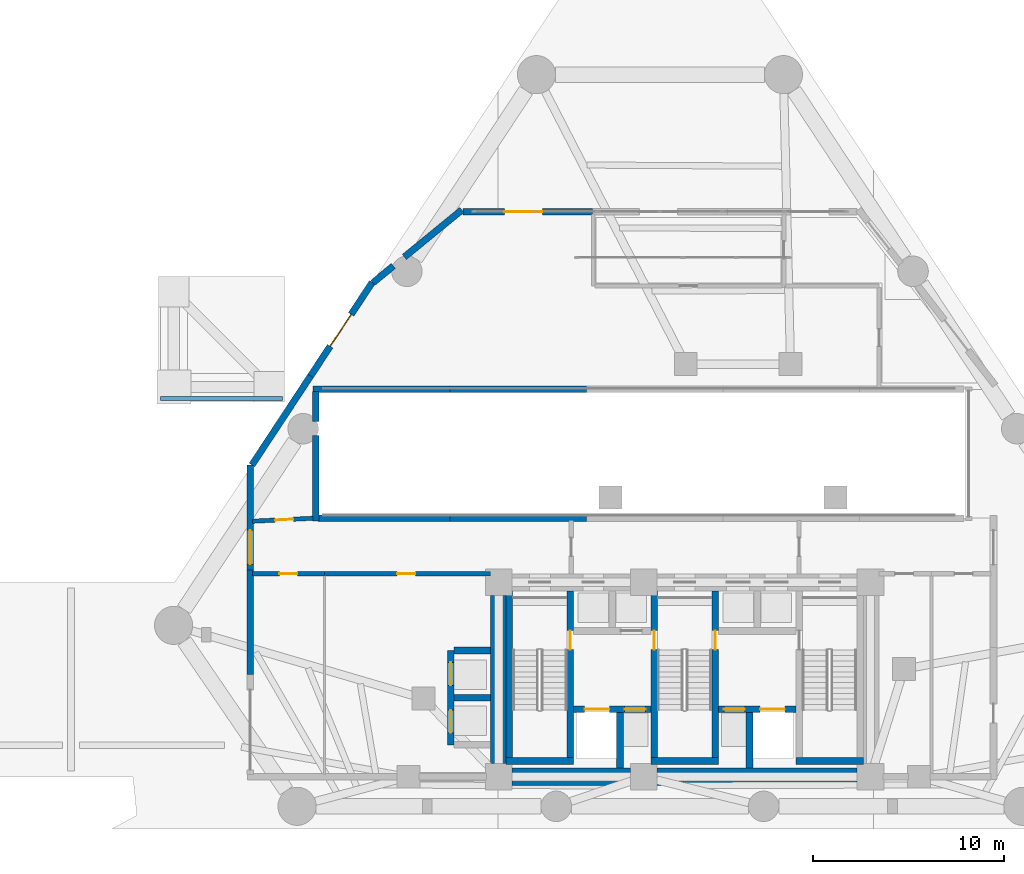
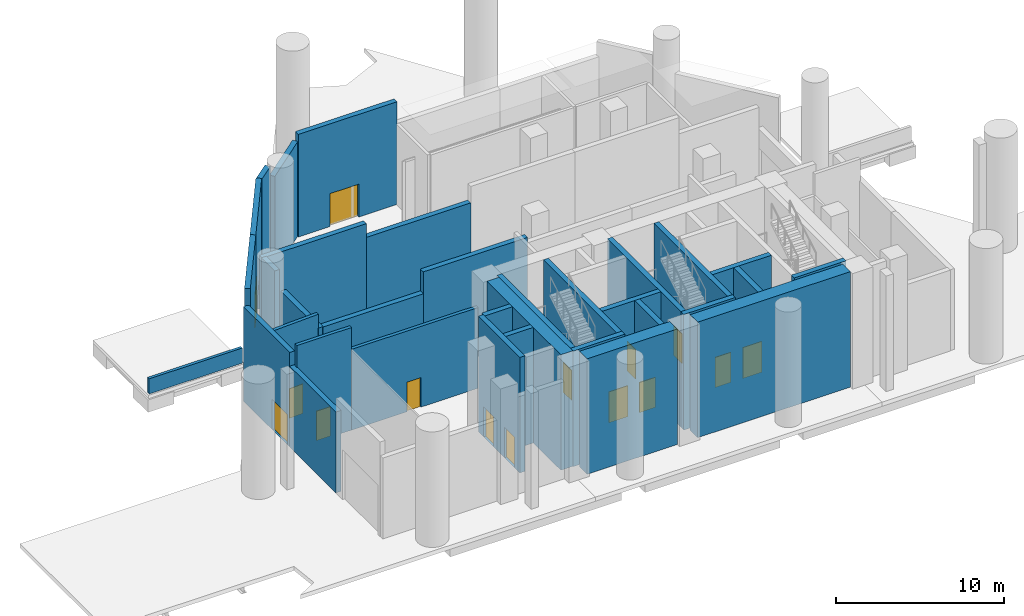
# One storey, part 6 of 12: 34 walls, 15 doors, 15 openings.
"""IFC4 building model written with IfcOpenShell, lengths in metres."""

import ifcopenshell
import ifcopenshell.guid

model = None  # the IFC model being written
_history = None  # IfcOwnerHistory: only IFC2X3 demands one
_inside = {}  # id of a spatial element -> (the spatial element, [elements in it])
_under = {}  # id of a project, library or spatial element -> (it, [spatial elements below it])
_declared = {}  # id of a project -> (the project, [libraries it declares])
_typed = {}  # id of a type object -> (the type object, [elements of that type])
_made_of = {}  # id of a material, layer set ... -> (it, [elements and type objects made of it])


def new_model(schema):
    """Start an empty IFC model of exactly this schema.

    Asked for "IFC4X3", IfcOpenShell would pick the latest addendum, in which some entities
    have other attributes; the version numbers below select the first issue.
    IFC2X3 requires an IfcOwnerHistory on every rooted entity: one is made here for all.
    """
    global model, _history
    if schema == "IFC4X3":
        model = ifcopenshell.file(schema_version=(4, 3, 0, 0))
    else:
        model = ifcopenshell.file(schema=schema)
    _inside.clear()
    _under.clear()
    _declared.clear()
    _typed.clear()
    _made_of.clear()
    _history = None
    if model.schema == "IFC2X3":
        org = make("IfcOrganization", Name="unknown")
        user = make(
            "IfcPersonAndOrganization",
            ThePerson=make("IfcPerson", FamilyName="unknown"),
            TheOrganization=org,
        )
        app = make(
            "IfcApplication",
            ApplicationDeveloper=org,
            Version="unknown",
            ApplicationFullName="unknown",
            ApplicationIdentifier="unknown",
        )
        _history = make(
            "IfcOwnerHistory",
            OwningUser=user,
            OwningApplication=app,
            ChangeAction="ADDED",
            CreationDate=0,
        )
    return model


def make(cls, **values):
    """One entity of the class cls with the attributes given. An attribute that is None is left unset."""
    return model.create_entity(
        cls, **{name: value for name, value in values.items() if value is not None}
    )


def rooted(cls, **values):
    """An entity with a GlobalId (a new one), such as an element, a storey or a relation."""
    return make(cls, GlobalId=ifcopenshell.guid.new(), OwnerHistory=_history, **values)


def si_unit(unit_type, name, prefix=None):
    """IfcSIUnit, for example si_unit("LENGTHUNIT", "METRE", prefix="MILLI")."""
    return make("IfcSIUnit", UnitType=unit_type, Prefix=prefix, Name=name)


def assignment(units):
    """IfcUnitAssignment: the units of a project."""
    return None if units is None else make("IfcUnitAssignment", Units=units)


def point(xyz):
    """IfcCartesianPoint."""
    return None if xyz is None else make("IfcCartesianPoint", Coordinates=xyz)


def direction(xyz):
    """IfcDirection."""
    return None if xyz is None else make("IfcDirection", DirectionRatios=xyz)


def frame(location, z_axis=None, x_axis=None):
    """IfcAxis2Placement3D, a coordinate frame: its origin and axes. An axis left out is left unset."""
    return make(
        "IfcAxis2Placement3D",
        Location=point(location),
        Axis=direction(z_axis),
        RefDirection=direction(x_axis),
    )


def frame_2d(location, x_axis=None):
    """IfcAxis2Placement2D, a coordinate frame in the plane: its origin and x axis."""
    return make(
        "IfcAxis2Placement2D", Location=point(location), RefDirection=direction(x_axis)
    )


def origin():
    """The frame at (0, 0, 0) with its axes left unset."""
    return frame((0.0, 0.0, 0.0))


def place(relative_to, where):
    """IfcLocalPlacement: puts the frame where relative to a parent placement (None: the world)."""
    return make(
        "IfcLocalPlacement", PlacementRelTo=relative_to, RelativePlacement=where
    )


def context(
    kind, dimensions, precision=None, world=None, true_north=None, identifier=None
):
    """IfcGeometricRepresentationContext, for example the 3D "Model" context."""
    return make(
        "IfcGeometricRepresentationContext",
        ContextIdentifier=identifier,
        ContextType=kind,
        CoordinateSpaceDimension=dimensions,
        Precision=precision,
        WorldCoordinateSystem=world,
        TrueNorth=true_north,
    )


def subcontext(parent, identifier, kind, view, scale=None):
    """IfcGeometricRepresentationSubContext, for example "Body" below "Model"."""
    return make(
        "IfcGeometricRepresentationSubContext",
        ContextIdentifier=identifier,
        ContextType=kind,
        ParentContext=parent,
        TargetScale=scale,
        TargetView=view,
    )


def project(units=None, contexts=None):
    """IfcProject with its units and contexts."""
    return rooted(
        "IfcProject",
        Name="project",
        RepresentationContexts=contexts,
        UnitsInContext=assignment(units),
    )


def spatial(cls, under=None, at=None, **own):
    """A site, building, storey or space (cls), placed at a placement, below another one or the project."""
    s = rooted(cls, ObjectPlacement=at, **own)
    if under is not None:
        _under.setdefault(under.id(), (under, []))[1].append(s)
    return s


def profile(cls, at=None, kind="AREA", **sizes):
    """A parametric profile (cls). Its sizes go by their IFC names, for example OverallWidth=200.0."""
    return make(cls, ProfileType=kind, Position=at, **sizes)


def rectangle(**sizes):
    """IfcRectangleProfileDef."""
    return profile("IfcRectangleProfileDef", **sizes)


def extrude(swept, where, along, depth):
    """IfcExtrudedAreaSolid: the profile swept, set in the frame where, extruded along a direction by depth."""
    return make(
        "IfcExtrudedAreaSolid",
        SweptArea=swept,
        Position=where,
        ExtrudedDirection=direction(along),
        Depth=depth,
    )


def shape(context_of_items, identifier, shape_type, items):
    """IfcShapeRepresentation: the items that make up one representation, for example the "Body"."""
    return make(
        "IfcShapeRepresentation",
        ContextOfItems=context_of_items,
        RepresentationIdentifier=identifier,
        RepresentationType=shape_type,
        Items=items,
    )


def material(Name=None, Category=None):
    """IfcMaterial."""
    return make("IfcMaterial", Name=Name, Category=Category)


def layer(
    of_material, thickness, ventilated=None, Name=None, Category=None, Priority=None
):
    """IfcMaterialLayer: one layer of a wall or slab, of a material (None: an air gap)."""
    return make(
        "IfcMaterialLayer",
        Material=of_material,
        LayerThickness=thickness,
        IsVentilated=ventilated,
        Name=Name,
        Category=Category,
        Priority=Priority,
    )


def layer_set(layers, Name=None):
    """IfcMaterialLayerSet."""
    return make("IfcMaterialLayerSet", MaterialLayers=layers, LayerSetName=Name)


def made_of(thing, what):
    """Note that an element or type object is made of a material, layer set ...; save() writes the relation."""
    if what is not None:
        _made_of.setdefault(what.id(), (what, []))[1].append(thing)
    return thing


def type_object(cls, material=None, **own):
    """A type object (cls), such as IfcWallType, which elements share."""
    return made_of(rooted(cls, **own), material)


def element(
    cls,
    number,
    at=None,
    inside=None,
    cuts=None,
    type_object=None,
    material=None,
    context=None,
    identifier="Body",
    shape_type=None,
    held_by="IfcProductDefinitionShape",
    body=None,
    shapes=None,
    **own,
):
    """One element of the class cls, such as IfcWall. Its Tag is "e" and its number.

    at: its placement. inside: the storey or other place that contains it. cuts: it is an
    opening in that element (IfcRelVoidsElement). A single representation is given by context,
    identifier, shape_type and body (its items); several are given by shapes. held_by: the class
    of the entity that holds the representations. save() writes the other relations.
    """
    e = rooted(cls, Tag="e%d" % number, ObjectPlacement=at, **own)
    if body is not None:
        shapes = [shape(context, identifier, shape_type, body)]
    if shapes is not None:
        e.Representation = make(held_by, Representations=shapes)
    if inside is not None:
        _inside.setdefault(inside.id(), (inside, []))[1].append(e)
    if cuts is not None:
        rooted(
            "IfcRelVoidsElement", RelatingBuildingElement=cuts, RelatedOpeningElement=e
        )
    if type_object is not None:
        _typed.setdefault(type_object.id(), (type_object, []))[1].append(e)
    return made_of(e, material)


def fill(opening, filler):
    """IfcRelFillsElement: the door or window that sits in an opening."""
    return rooted(
        "IfcRelFillsElement",
        RelatingOpeningElement=opening,
        RelatedBuildingElement=filler,
    )


def aggregate(whole, parts):
    """IfcRelAggregates: a whole, such as a stair, and the parts it consists of."""
    return rooted("IfcRelAggregates", RelatingObject=whole, RelatedObjects=parts)


def save(model, path):
    """Write the relations noted so far, then the file.

    IfcRelAggregates (storeys below a building ...), IfcRelContainedInSpatialStructure (elements
    in a storey), IfcRelDefinesByType, IfcRelAssociatesMaterial and IfcRelDeclares: one each for
    every whole, place, type object, material and project.
    """
    for whole, parts in _under.values():
        aggregate(whole, parts)
    for where, things in _inside.values():
        rooted(
            "IfcRelContainedInSpatialStructure",
            RelatedElements=things,
            RelatingStructure=where,
        )
    for kind, things in _typed.values():
        rooted("IfcRelDefinesByType", RelatedObjects=things, RelatingType=kind)
    for what, things in _made_of.values():
        rooted("IfcRelAssociatesMaterial", RelatedObjects=things, RelatingMaterial=what)
    for by, libraries in _declared.values():
        rooted("IfcRelDeclares", RelatingContext=by, RelatedDefinitions=libraries)
    model.write(path)


model = new_model("IFC4")

# Units and contexts
model_context = context("Model", 3, precision=1e-05, world=origin(), true_north=direction((0.0, 1.0)))
body_context = subcontext(model_context, "Body", "Model", "MODEL_VIEW")
ifc_project = project(units=[si_unit("LENGTHUNIT", "METRE"), si_unit("AREAUNIT", "SQUARE_METRE"), si_unit("VOLUMEUNIT", "CUBIC_METRE"), si_unit("PLANEANGLEUNIT", "RADIAN"), si_unit("MASSUNIT", "GRAM", prefix="KILO")], contexts=[model_context])

# Site, building, storey
site_placement = place(None, origin())
site = spatial("IfcSite", under=ifc_project, at=site_placement, CompositionType="ELEMENT")
building_placement = place(site_placement, origin())
building = spatial("IfcBuilding", under=site, at=building_placement, Name="Almagre Mirador Tower", CompositionType="ELEMENT")
storey_placement = place(building_placement, origin())
storey = spatial("IfcBuildingStorey", under=building, at=storey_placement, Name="L00", CompositionType="ELEMENT", Elevation=0.0)

# Walls
ifc_material_1 = material(Name="Precast concrete C50/60", Category="concrete")
ifc_layer_1 = layer(ifc_material_1, 0.35009765625)
ifc_layer_set_1 = layer_set([ifc_layer_1], Name="Precast concrete C50/60")
wall_type_1 = type_object("IfcWallType", Name="WAL-EXT-350", PredefinedType="SOLIDWALL", material=ifc_layer_set_1)
wall_1_placement = place(storey_placement, frame((32.14208984375, 24.8798828125, 0.0), z_axis=(0.0, 0.0, 1.0), x_axis=(-1.0, 0.0, 0.0)))
element("IfcWall", 1, at=wall_1_placement, inside=storey, type_object=wall_type_1, Name="L00 ground enclosure wall 3.4", PredefinedType="SOLIDWALL", context=body_context, shape_type="SweptSolid", body=[
    extrude(rectangle(XDim=7.166015625, YDim=0.35009765625, at=frame_2d((3.5830078125, 0.0))), origin(), (0.0, 0.0, 1.0), 5.875),
])
wall_2_placement = place(storey_placement, frame((24.97607421875, 24.8798828125, 0.0), z_axis=(0.0, 0.0, 1.0), x_axis=(-1.0, 0.0, 0.0)))
element("IfcWall", 2, at=wall_2_placement, inside=storey, type_object=wall_type_1, Name="L00 ground enclosure wall 3.5", PredefinedType="SOLIDWALL", context=body_context, shape_type="SweptSolid", body=[
    extrude(rectangle(XDim=7.166015625, YDim=0.35009765625, at=frame_2d((3.5830078125, 0.0))), origin(), (0.0, 0.0, 1.0), 6.875),
])
wall_3_placement = place(storey_placement, frame((17.949951171875, 24.760009765625, 0.0), z_axis=(0.0, 0.0, 1.0), x_axis=(0.0, -1.0, 0.0)))
element("IfcWall", 3, at=wall_3_placement, inside=storey, type_object=wall_type_1, Name="L00 ground enclosure wall 4.1", PredefinedType="SOLIDWALL", context=body_context, shape_type="SweptSolid", body=[
    extrude(rectangle(XDim=1.58203125, YDim=0.35009765625, at=frame_2d((0.791015625, 0.0))), origin(), (0.0, 0.0, 1.0), 6.875),
])
wall_4_placement = place(storey_placement, frame((17.949951171875, 22.446044921875, 0.0), z_axis=(0.0, 0.0, 1.0), x_axis=(0.0, -1.0, 0.0)))
element("IfcWall", 4, at=wall_4_placement, inside=storey, type_object=wall_type_1, Name="L00 ground enclosure wall 4.2", PredefinedType="SOLIDWALL", context=body_context, shape_type="SweptSolid", body=[
    extrude(rectangle(XDim=4.466064453125, YDim=0.35009765625, at=frame_2d((2.23291015625, 0.0))), origin(), (0.0, 0.0, 1.0), 5.875),
])
wall_5_placement = place(storey_placement, frame((18.070068359375, 18.1201171875, 0.0), z_axis=(0.0, 0.0, 1.0), x_axis=(1.0, 0.0, 0.0)))
element("IfcWall", 5, at=wall_5_placement, inside=storey, type_object=wall_type_1, Name="L00 ground enclosure wall 5.1", PredefinedType="SOLIDWALL", context=body_context, shape_type="SweptSolid", body=[
    extrude(rectangle(XDim=6.906005859375, YDim=0.35009765625, at=frame_2d((3.453125, 0.0))), origin(), (0.0, 0.0, 1.0), 5.875),
])
wall_6_placement = place(storey_placement, frame((24.97607421875, 18.1201171875, 0.0), z_axis=(0.0, 0.0, 1.0), x_axis=(1.0, 0.0, 0.0)))
element("IfcWall", 6, at=wall_6_placement, inside=storey, type_object=wall_type_1, Name="L00 ground enclosure wall 5.2", PredefinedType="SOLIDWALL", context=body_context, shape_type="SweptSolid", body=[
    extrude(rectangle(XDim=7.166015625, YDim=0.35009765625, at=frame_2d((3.5830078125, 0.0))), origin(), (0.0, 0.0, 1.0), 7.467041015625),
])
wall_7_placement = place(storey_placement, frame((14.5, 9.91015625, 0.0), z_axis=(0.0, 0.0, 1.0), x_axis=(0.0, 1.0, 0.0)))
element("IfcWall", 7, at=wall_7_placement, inside=storey, type_object=wall_type_1, Name="L00 ground enclosure wall 8.2", PredefinedType="SOLIDWALL", context=body_context, shape_type="SweptSolid", body=[
    extrude(rectangle(XDim=5.500244140625, YDim=0.35009765625, at=frame_2d((2.75, 0.0))), origin(), (0.0, 0.0, 1.0), 5.875),
])

# Wall, opening, door
wall_8_placement = place(storey_placement, frame((14.5, 15.410400390625, 0.0), z_axis=(0.0, 0.0, 1.0), x_axis=(0.0, 1.0, 0.0)))
wall_8 = element("IfcWall", 8, at=wall_8_placement, inside=storey, type_object=wall_type_1, Name="L00 ground enclosure wall 8.3", PredefinedType="SOLIDWALL", context=body_context, shape_type="SweptSolid", body=[
    extrude(rectangle(XDim=5.500244140625, YDim=0.35009765625, at=frame_2d((2.75, 0.0))), origin(), (0.0, 0.0, 1.0), 6.875),
])
opening_1_placement = place(wall_8_placement, frame((0.280029296875, 0.0, 0.0)))
opening_1 = element("IfcOpeningElement", 9, at=opening_1_placement, cuts=wall_8, Name="Opening ED-01", PredefinedType="OPENING", context=body_context, shape_type="SweptSolid", body=[
    extrude(rectangle(XDim=1.800048828125, YDim=2.199951171875, at=frame_2d((0.89990234375, 1.10009765625))), frame((0.0, 0.185049, 0.0), z_axis=(0.0, -1.0, 0.0), x_axis=(1.0, 0.0, 0.0)), (0.0, 0.0, 1.0), 0.370098),
])
ifc_material_2 = material(Name="Black anodized aluminium and laminated glass", Category="aluminium")
door_type_1 = type_object("IfcDoorType", Name="DOR-EXT-DBL-1800", OperationType="DOUBLE_DOOR_SINGLE_SWING", PredefinedType="DOOR", material=ifc_material_2)
door_1_placement = place(opening_1_placement, origin())
door_1 = element("IfcDoor", 10, at=door_1_placement, inside=storey, type_object=door_type_1, Name="DR-0036 L00 Protected Exit Passageway ST-1 final exit door ED-01", OperationType="DOUBLE_DOOR_SINGLE_SWING", OverallHeight=2.199951171875, OverallWidth=1.800048828125, PredefinedType="DOOR", context=body_context, shape_type="SweptSolid", body=[
    extrude(rectangle(XDim=1.800048828125, YDim=2.199951171875, at=frame_2d((0.89990234375, 1.10009765625))), frame((0.0, 0.02490234375, 0.0), z_axis=(0.0, -1.0, 0.0), x_axis=(1.0, 0.0, 0.0)), (0.0, 0.0, 1.0), 0.050048828125),
])
fill(opening_1, door_1)

# Wall
wall_9_placement = place(storey_placement, frame((14.5908203125, 20.908447265625, 0.0), z_axis=(0.0, 0.0, 1.0), x_axis=(0.550206782409, 0.835028440588, 0.0)))
element("IfcWall", 11, at=wall_9_placement, inside=storey, type_object=wall_type_1, Name="L00 ground enclosure wall 9.1", PredefinedType="SOLIDWALL", context=body_context, shape_type="SweptSolid", body=[
    extrude(rectangle(XDim=5.589599609375, YDim=0.35009765625, at=frame_2d((2.794921875, 0.0))), origin(), (0.0, 0.0, 1.0), 8.10009765625),
])

# Wall, opening, door
wall_10_placement = place(storey_placement, frame((17.666259765625, 25.575927734375, 0.0), z_axis=(0.0, 0.0, 1.0), x_axis=(0.550228705167, 0.835013995098, 0.0)))
wall_10 = element("IfcWall", 12, at=wall_10_placement, inside=storey, type_object=wall_type_1, Name="L00 ground enclosure wall 9.2", PredefinedType="SOLIDWALL", context=body_context, shape_type="SweptSolid", body=[
    extrude(rectangle(XDim=5.894775390625, YDim=0.35009765625, at=frame_2d((2.947265625, 0.0))), origin(), (0.0, 0.0, 1.0), 8.10009765625),
])
opening_2_placement = place(wall_10_placement, frame((1.872314453125, 0.0, 0.0)))
opening_2 = element("IfcOpeningElement", 13, at=opening_2_placement, cuts=wall_10, Name="Opening ED-02", PredefinedType="OPENING", context=body_context, shape_type="SweptSolid", body=[
    extrude(rectangle(XDim=2.0, YDim=2.39990234375, at=frame_2d((1.0, 1.199951171875))), frame((0.0, 0.185049, 0.0), z_axis=(0.0, -1.0, 0.0), x_axis=(1.0, 0.0, 0.0)), (0.0, 0.0, 1.0), 0.370098),
])
ifc_material_3 = material(Name="Black anodized aluminium and laminated glass", Category="aluminium")
door_type_2 = type_object("IfcDoorType", Name="DOR-EXT-ENT-2000", OperationType="DOUBLE_DOOR_SINGLE_SWING", PredefinedType="DOOR", material=ifc_material_3)
door_2_placement = place(opening_2_placement, origin())
door_2 = element("IfcDoor", 14, at=door_2_placement, inside=storey, type_object=door_type_2, Name="DR-0039 L00 main plaza entrance double door 09-2", OperationType="DOUBLE_DOOR_SINGLE_SWING", OverallHeight=2.39990234375, OverallWidth=2.0, PredefinedType="DOOR", context=body_context, shape_type="SweptSolid", body=[
    extrude(rectangle(XDim=2.0, YDim=2.39990234375, at=frame_2d((1.0, 1.199951171875))), frame((0.0, 0.02490234375, 0.0), z_axis=(0.0, -1.0, 0.0), x_axis=(1.0, 0.0, 0.0)), (0.0, 0.0, 1.0), 0.050048828125),
])
fill(opening_2, door_2)

# Walls
wall_11_placement = place(storey_placement, frame((20.93701171875, 30.466552734375, 0.0), z_axis=(0.0, 0.0, 1.0), x_axis=(0.773886926852, 0.633323791159, 0.0)))
element("IfcWall", 15, at=wall_11_placement, inside=storey, type_object=wall_type_1, Name="L00 ground enclosure wall 10.1", PredefinedType="SOLIDWALL", context=body_context, shape_type="SweptSolid", body=[
    extrude(rectangle(XDim=1.391357421875, YDim=0.35009765625, at=frame_2d((0.69580078125, 0.0))), origin(), (0.0, 0.0, 1.0), 8.10009765625),
])
wall_12_placement = place(storey_placement, frame((22.588134765625, 31.817626953125, 0.0), z_axis=(0.0, 0.0, 1.0), x_axis=(0.773948936948, 0.633248010653, 0.0)))
element("IfcWall", 16, at=wall_12_placement, inside=storey, type_object=wall_type_1, Name="L00 ground enclosure wall 10.2", PredefinedType="SOLIDWALL", context=body_context, shape_type="SweptSolid", body=[
    extrude(rectangle(XDim=3.90234375, YDim=0.35009765625, at=frame_2d((1.951171875, 0.0))), origin(), (0.0, 0.0, 1.0), 6.875),
])

# Wall, opening, door
wall_13_placement = place(storey_placement, frame((25.6650390625, 34.199951171875, 0.0), z_axis=(0.0, 0.0, 1.0), x_axis=(1.0, 0.0, 0.0)))
wall_13 = element("IfcWall", 17, at=wall_13_placement, inside=storey, type_object=wall_type_1, Name="L00 ground enclosure wall 11.1", PredefinedType="SOLIDWALL", context=body_context, shape_type="SweptSolid", body=[
    extrude(rectangle(XDim=6.788330078125, YDim=0.35009765625, at=frame_2d((3.39404296875, 0.0))), origin(), (0.0, 0.0, 1.0), 7.467041015625),
])
opening_3_placement = place(wall_13_placement, frame((2.16650390625, 0.0, 0.0)))
opening_3 = element("IfcOpeningElement", 18, at=opening_3_placement, cuts=wall_13, Name="Opening ED-02", PredefinedType="OPENING", context=body_context, shape_type="SweptSolid", body=[
    extrude(rectangle(XDim=2.0, YDim=2.39990234375, at=frame_2d((1.0, 1.199951171875))), frame((0.0, 0.185049, 0.0), z_axis=(0.0, -1.0, 0.0), x_axis=(1.0, 0.0, 0.0)), (0.0, 0.0, 1.0), 0.370098),
])
door_3_placement = place(opening_3_placement, origin())
door_3 = element("IfcDoor", 19, at=door_3_placement, inside=storey, type_object=door_type_2, Name="DR-0040 L00 main plaza entrance double door 11-1", OperationType="DOUBLE_DOOR_SINGLE_SWING", OverallHeight=2.39990234375, OverallWidth=2.0, PredefinedType="DOOR", context=body_context, shape_type="SweptSolid", body=[
    extrude(rectangle(XDim=2.0, YDim=2.39990234375, at=frame_2d((1.0, 1.199951171875))), frame((0.0, 0.02490234375, 0.0), z_axis=(0.0, -1.0, 0.0), x_axis=(1.0, 0.0, 0.0)), (0.0, 0.0, 1.0), 0.050048828125),
])
fill(opening_3, door_3)

# Wall
ifc_material_4 = material(Name="Precast concrete C50/60", Category="concrete")
ifc_layer_2 = layer(ifc_material_4, 0.199951171875)
ifc_layer_set_2 = layer_set([ifc_layer_2], Name="Precast concrete C50/60")
wall_type_2 = type_object("IfcWallType", Name="WAL-PAR-200", PredefinedType="PARAPET", material=ifc_layer_set_2)
wall_14_placement = place(storey_placement, frame((9.800048828125, 24.39990234375, 0.050048828125), z_axis=(0.0, 0.0, 1.0), x_axis=(1.0, 0.0, 0.0)))
element("IfcWall", 20, at=wall_14_placement, inside=storey, type_object=wall_type_2, Name="L00 NW reflecting water court parapet", PredefinedType="PARAPET", context=body_context, shape_type="SweptSolid", body=[
    extrude(rectangle(XDim=6.39990234375, YDim=0.199951171875, at=frame_2d((3.199951171875, 0.0))), origin(), (0.0, 0.0, 1.0), 1.099853515625),
])

# Wall, opening, door
ifc_material_5 = material(Name="Gypsum acoustic stud partition", Category="other")
ifc_layer_3 = layer(ifc_material_5, 0.22509765625)
ifc_layer_set_3 = layer_set([ifc_layer_3], Name="Gypsum acoustic stud partition")
wall_type_3 = type_object("IfcWallType", Name="WAL-PRT-225-EI120", PredefinedType="PARTITIONING", material=ifc_layer_set_3)
wall_15_placement = place(storey_placement, frame((17.790283203125, 18.112060546875, 0.0), z_axis=(0.0, 0.0, 1.0), x_axis=(-0.998817740056, -0.048611954799, 0.0)))
wall_15 = element("IfcWall", 21, at=wall_15_placement, inside=storey, type_object=wall_type_3, Name="L00 interior partition 002", PredefinedType="PARTITIONING", context=body_context, shape_type="SweptSolid", body=[
    extrude(rectangle(XDim=3.1689453125, YDim=0.22509765625, at=frame_2d((1.58447265625, 0.0))), origin(), (0.0, 0.0, 1.0), 6.8701171875),
])
opening_4_placement = place(wall_15_placement, frame((1.03369140625, 0.0, 0.0)))
opening_4 = element("IfcOpeningElement", 22, at=opening_4_placement, cuts=wall_15, Name="Opening FD-02", PredefinedType="OPENING", context=body_context, shape_type="SweptSolid", body=[
    extrude(rectangle(XDim=0.949951171875, YDim=2.14990234375, at=frame_2d((0.47509765625, 1.074951171875))), frame((0.0, 0.122549, 0.0), z_axis=(0.0, -1.0, 0.0), x_axis=(1.0, 0.0, 0.0)), (0.0, 0.0, 1.0), 0.245098),
])
ifc_material_6 = material(Name="Fire-rated hollow steel", Category="steel")
door_type_3 = type_object("IfcDoorType", Name="DOR-FD90-950X2150", OperationType="NOTDEFINED", PredefinedType="DOOR", material=ifc_material_6)
door_4_placement = place(opening_4_placement, origin())
door_4 = element("IfcDoor", 23, at=door_4_placement, inside=storey, type_object=door_type_3, Name="DR-0051 L00 interior door L00-EXP-1 to L00-COR-01", OperationType="SINGLE_SWING_LEFT", OverallHeight=2.14990234375, OverallWidth=0.949951171875, PredefinedType="DOOR", context=body_context, shape_type="SweptSolid", body=[
    extrude(rectangle(XDim=0.949951171875, YDim=2.14990234375, at=frame_2d((0.47509765625, 1.074951171875))), frame((0.0, 0.02490234375, 0.0), z_axis=(0.0, -1.0, 0.0), x_axis=(1.0, 0.0, 0.0)), (0.0, 0.0, 1.0), 0.050048828125),
])
fill(opening_4, door_4)

wall_16_placement = place(storey_placement, frame((14.625, 15.199951171875, 0.0), z_axis=(0.0, 0.0, 1.0), x_axis=(1.0, 0.0, 0.0)))
wall_16 = element("IfcWall", 24, at=wall_16_placement, inside=storey, type_object=wall_type_3, Name="L00 interior partition 003", PredefinedType="PARTITIONING", context=body_context, shape_type="SweptSolid", body=[
    extrude(rectangle(XDim=3.77490234375, YDim=0.22509765625, at=frame_2d((1.887451171875, 0.0))), origin(), (0.0, 0.0, 1.0), 7.4619140625),
])
opening_5_placement = place(wall_16_placement, frame((1.407958984375, 0.0, 0.0)))
opening_5 = element("IfcOpeningElement", 25, at=opening_5_placement, cuts=wall_16, Name="Opening FD-02", PredefinedType="OPENING", context=body_context, shape_type="SweptSolid", body=[
    extrude(rectangle(XDim=0.949951171875, YDim=2.14990234375, at=frame_2d((0.47509765625, 1.074951171875))), frame((0.0, 0.122549, 0.0), z_axis=(0.0, -1.0, 0.0), x_axis=(1.0, 0.0, 0.0)), (0.0, 0.0, 1.0), 0.245098),
])
door_5_placement = place(opening_5_placement, origin())
door_5 = element("IfcDoor", 26, at=door_5_placement, inside=storey, type_object=door_type_3, Name="DR-0054 L00 interior door L00-EXP-1 to L00-LOAD", OperationType="SINGLE_SWING_RIGHT", OverallHeight=2.14990234375, OverallWidth=0.949951171875, PredefinedType="DOOR", context=body_context, shape_type="SweptSolid", body=[
    extrude(rectangle(XDim=0.949951171875, YDim=2.14990234375, at=frame_2d((0.47509765625, 1.074951171875))), frame((0.0, 0.02490234375, 0.0), z_axis=(0.0, -1.0, 0.0), x_axis=(1.0, 0.0, 0.0)), (0.0, 0.0, 1.0), 0.050048828125),
])
fill(opening_5, door_5)

wall_17_placement = place(storey_placement, frame((18.39990234375, 15.199951171875, 0.0), z_axis=(0.0, 0.0, 1.0), x_axis=(1.0, 0.0, 0.0)))
wall_17 = element("IfcWall", 27, at=wall_17_placement, inside=storey, type_object=wall_type_3, Name="L00 interior partition 004", PredefinedType="PARTITIONING", context=body_context, shape_type="SweptSolid", body=[
    extrude(rectangle(XDim=8.7001953125, YDim=0.22509765625, at=frame_2d((4.35009765625, 0.0))), origin(), (0.0, 0.0, 1.0), 5.8701171875),
])
opening_6_placement = place(wall_17_placement, frame((3.815673828125, 0.0, 0.0)))
opening_6 = element("IfcOpeningElement", 28, at=opening_6_placement, cuts=wall_17, Name="Opening FD-02", PredefinedType="OPENING", context=body_context, shape_type="SweptSolid", body=[
    extrude(rectangle(XDim=0.949951171875, YDim=2.14990234375, at=frame_2d((0.47509765625, 1.074951171875))), frame((0.0, 0.122549, 0.0), z_axis=(0.0, -1.0, 0.0), x_axis=(1.0, 0.0, 0.0)), (0.0, 0.0, 1.0), 0.245098),
])
door_6_placement = place(opening_6_placement, origin())
door_6 = element("IfcDoor", 29, at=door_6_placement, inside=storey, type_object=door_type_3, Name="DR-0050 L00 interior door L00-EXP-1 to L00-CONC-2", OperationType="SINGLE_SWING_RIGHT", OverallHeight=2.14990234375, OverallWidth=0.949951171875, PredefinedType="DOOR", context=body_context, shape_type="SweptSolid", body=[
    extrude(rectangle(XDim=0.949951171875, YDim=2.14990234375, at=frame_2d((0.47509765625, 1.074951171875))), frame((0.0, 0.02490234375, 0.0), z_axis=(0.0, -1.0, 0.0), x_axis=(1.0, 0.0, 0.0)), (0.0, 0.0, 1.0), 0.050048828125),
])
fill(opening_6, door_6)

# Wall
ifc_material_7 = material(Name="Concrete C60/75", Category="concrete")
ifc_layer_4 = layer(ifc_material_7, 0.35009765625)
ifc_layer_set_4 = layer_set([ifc_layer_4], Name="Concrete C60/75")
wall_type_4 = type_object("IfcWallType", Name="WAL-SHF-350", PredefinedType="SOLIDWALL", material=ifc_layer_set_4)
wall_18_placement = place(storey_placement, frame((28.10009765625, 5.199951171875, 0.0), z_axis=(0.0, 0.0, 1.0), x_axis=(0.0, 1.0, 0.0)))
element("IfcWall", 30, at=wall_18_placement, inside=storey, type_object=wall_type_4, Name="L00 shaft wall ST1-W", PredefinedType="SOLIDWALL", context=body_context, shape_type="SweptSolid", body=[
    extrude(rectangle(XDim=9.10009765625, YDim=0.35009765625, at=frame_2d((4.550048828125, 0.0))), origin(), (0.0, 0.0, 1.0), 8.39990234375),
])

# Wall, opening, door
wall_19_placement = place(storey_placement, frame((31.300048828125, 5.199951171875, 0.0), z_axis=(0.0, 0.0, 1.0), x_axis=(0.0, 1.0, 0.0)))
wall_19 = element("IfcWall", 31, at=wall_19_placement, inside=storey, type_object=wall_type_4, Name="L00 shaft wall ST1-E", PredefinedType="SOLIDWALL", context=body_context, shape_type="SweptSolid", body=[
    extrude(rectangle(XDim=9.10009765625, YDim=0.35009765625, at=frame_2d((4.550048828125, 0.0))), origin(), (0.0, 0.0, 1.0), 8.39990234375),
])
opening_7_placement = place(wall_19_placement, frame((6.02001953125, 0.0, 0.0)))
opening_7 = element("IfcOpeningElement", 32, at=opening_7_placement, cuts=wall_19, Name="Opening FD-01", PredefinedType="OPENING", context=body_context, shape_type="SweptSolid", body=[
    extrude(rectangle(XDim=1.0, YDim=2.14990234375, at=frame_2d((0.5, 1.074951171875))), frame((0.0, 0.185049, 0.0), z_axis=(0.0, -1.0, 0.0), x_axis=(1.0, 0.0, 0.0)), (0.0, 0.0, 1.0), 0.370098),
])
ifc_material_8 = material(Name="Fire-rated hollow steel", Category="steel")
door_type_4 = type_object("IfcDoorType", Name="DOR-FFL-1000X2150", OperationType="NOTDEFINED", PredefinedType="DOOR", material=ifc_material_8)
door_7_placement = place(opening_7_placement, origin())
door_7 = element("IfcDoor", 33, at=door_7_placement, inside=storey, type_object=door_type_4, Name="DR-0044 L00 FFL1-ST1 smokeproof door", OperationType="SINGLE_SWING_RIGHT", OverallHeight=2.14990234375, OverallWidth=1.0, PredefinedType="DOOR", context=body_context, shape_type="SweptSolid", body=[
    extrude(rectangle(XDim=1.0, YDim=2.14990234375, at=frame_2d((0.5, 1.074951171875))), frame((0.0, 0.02490234375, 0.0), z_axis=(0.0, -1.0, 0.0), x_axis=(1.0, 0.0, 0.0)), (0.0, 0.0, 1.0), 0.050048828125),
])
fill(opening_7, door_7)

# Wall
wall_20_placement = place(storey_placement, frame((27.925048828125, 5.375, 0.0), z_axis=(0.0, 0.0, 1.0), x_axis=(1.0, 0.0, 0.0)))
element("IfcWall", 34, at=wall_20_placement, inside=storey, type_object=wall_type_4, Name="L00 shaft wall ST1-S", PredefinedType="SOLIDWALL", context=body_context, shape_type="SweptSolid", body=[
    extrude(rectangle(XDim=3.550048828125, YDim=0.35009765625, at=frame_2d((1.77490234375, 0.0))), origin(), (0.0, 0.0, 1.0), 8.39990234375),
])

# Wall, opening, door
wall_21_placement = place(storey_placement, frame((35.699951171875, 5.199951171875, 0.0), z_axis=(0.0, 0.0, 1.0), x_axis=(0.0, 1.0, 0.0)))
wall_21 = element("IfcWall", 35, at=wall_21_placement, inside=storey, type_object=wall_type_4, Name="L00 shaft wall ST2-W", PredefinedType="SOLIDWALL", context=body_context, shape_type="SweptSolid", body=[
    extrude(rectangle(XDim=9.10009765625, YDim=0.35009765625, at=frame_2d((4.550048828125, 0.0))), origin(), (0.0, 0.0, 1.0), 8.39990234375),
])
opening_8_placement = place(wall_21_placement, frame((6.02001953125, 0.0, 0.0)))
opening_8 = element("IfcOpeningElement", 36, at=opening_8_placement, cuts=wall_21, Name="Opening FD-01", PredefinedType="OPENING", context=body_context, shape_type="SweptSolid", body=[
    extrude(rectangle(XDim=1.0, YDim=2.14990234375, at=frame_2d((0.5, 1.074951171875))), frame((0.0, 0.185049, 0.0), z_axis=(0.0, -1.0, 0.0), x_axis=(1.0, 0.0, 0.0)), (0.0, 0.0, 1.0), 0.370098),
])
door_8_placement = place(opening_8_placement, origin())
door_8 = element("IfcDoor", 37, at=door_8_placement, inside=storey, type_object=door_type_4, Name="DR-0045 L00 FFL1-ST2 smokeproof door", OperationType="SINGLE_SWING_LEFT", OverallHeight=2.14990234375, OverallWidth=1.0, PredefinedType="DOOR", context=body_context, shape_type="SweptSolid", body=[
    extrude(rectangle(XDim=1.0, YDim=2.14990234375, at=frame_2d((0.5, 1.074951171875))), frame((0.0, 0.02490234375, 0.0), z_axis=(0.0, -1.0, 0.0), x_axis=(1.0, 0.0, 0.0)), (0.0, 0.0, 1.0), 0.050048828125),
])
fill(opening_8, door_8)

wall_22_placement = place(storey_placement, frame((38.89990234375, 5.199951171875, 0.0), z_axis=(0.0, 0.0, 1.0), x_axis=(0.0, 1.0, 0.0)))
wall_22 = element("IfcWall", 38, at=wall_22_placement, inside=storey, type_object=wall_type_4, Name="L00 shaft wall ST2-E", PredefinedType="SOLIDWALL", context=body_context, shape_type="SweptSolid", body=[
    extrude(rectangle(XDim=9.10009765625, YDim=0.35009765625, at=frame_2d((4.550048828125, 0.0))), origin(), (0.0, 0.0, 1.0), 8.39990234375),
])
opening_9_placement = place(wall_22_placement, frame((6.02001953125, 0.0, 0.0)))
opening_9 = element("IfcOpeningElement", 39, at=opening_9_placement, cuts=wall_22, Name="Opening FD-01", PredefinedType="OPENING", context=body_context, shape_type="SweptSolid", body=[
    extrude(rectangle(XDim=1.0, YDim=2.14990234375, at=frame_2d((0.5, 1.074951171875))), frame((0.0, 0.185049, 0.0), z_axis=(0.0, -1.0, 0.0), x_axis=(1.0, 0.0, 0.0)), (0.0, 0.0, 1.0), 0.370098),
])
door_9_placement = place(opening_9_placement, origin())
door_9 = element("IfcDoor", 40, at=door_9_placement, inside=storey, type_object=door_type_4, Name="DR-0046 L00 FFL2-ST2 smokeproof door", OperationType="SINGLE_SWING_RIGHT", OverallHeight=2.14990234375, OverallWidth=1.0, PredefinedType="DOOR", context=body_context, shape_type="SweptSolid", body=[
    extrude(rectangle(XDim=1.0, YDim=2.14990234375, at=frame_2d((0.5, 1.074951171875))), frame((0.0, 0.02490234375, 0.0), z_axis=(0.0, -1.0, 0.0), x_axis=(1.0, 0.0, 0.0)), (0.0, 0.0, 1.0), 0.050048828125),
])
fill(opening_9, door_9)

# Walls
for number, where, z_axis, x_axis, name in (
    (41, (35.52490234375, 5.375, 0.0), (0.0, 0.0, 1.0), (1.0, 0.0, 0.0), "L00 shaft wall ST2-S"),
    (42, (43.125, 5.375, 0.0), (0.0, 0.0, 1.0), (1.0, 0.0, 0.0), "L00 shaft wall ST3-S"),
):
    element("IfcWall", number, at=place(storey_placement, frame(where, z_axis=z_axis, x_axis=x_axis)), inside=storey, type_object=wall_type_4, Name=name, PredefinedType="SOLIDWALL", context=body_context, shape_type="SweptSolid", body=[
        extrude(rectangle(XDim=3.550048828125, YDim=0.35009765625, at=frame_2d((1.77490234375, 0.0))), origin(), (0.0, 0.0, 1.0), 8.39990234375),
    ])

# Wall, openings, doors
wall_23_placement = place(storey_placement, frame((31.47509765625, 8.10009765625, 0.0), z_axis=(0.0, 0.0, 1.0), x_axis=(1.0, 0.0, 0.0)))
wall_23 = element("IfcWall", 43, at=wall_23_placement, inside=storey, type_object=wall_type_4, Name="L00 shaft wall FSAE1-N", PredefinedType="SOLIDWALL", context=body_context, shape_type="SweptSolid", body=[
    extrude(rectangle(XDim=4.0498046875, YDim=0.35009765625, at=frame_2d((2.02490234375, 0.0))), origin(), (0.0, 0.0, 1.0), 8.39990234375),
])
opening_10_placement = place(wall_23_placement, frame((0.574951171875, 0.0, 0.0)))
opening_10 = element("IfcOpeningElement", 44, at=opening_10_placement, cuts=wall_23, Name="Opening LD-03", PredefinedType="OPENING", context=body_context, shape_type="SweptSolid", body=[
    extrude(rectangle(XDim=1.300048828125, YDim=2.25, at=frame_2d((0.64990234375, 1.125))), frame((0.0, 0.185049, 0.0), z_axis=(0.0, -1.0, 0.0), x_axis=(1.0, 0.0, 0.0)), (0.0, 0.0, 1.0), 0.370098),
])
opening_11_placement = place(wall_23_placement, frame((2.675048828125, 0.0, 0.0)))
opening_11 = element("IfcOpeningElement", 45, at=opening_11_placement, cuts=wall_23, Name="Opening LD-01", PredefinedType="OPENING", context=body_context, shape_type="SweptSolid", body=[
    extrude(rectangle(XDim=1.10009765625, YDim=2.199951171875, at=frame_2d((0.550048828125, 1.10009765625))), frame((0.0, 0.185049, 0.0), z_axis=(0.0, -1.0, 0.0), x_axis=(1.0, 0.0, 0.0)), (0.0, 0.0, 1.0), 0.370098),
])
ifc_material_9 = material(Name="Hollow stainless steel", Category="steel")
door_type_5 = type_object("IfcDoorType", Name="DOR-LD-1100X2200", OperationType="DOUBLE_DOOR_SLIDING", PredefinedType="DOOR", material=ifc_material_9)
door_10_placement = place(opening_11_placement, origin())
door_10 = element("IfcDoor", 46, at=door_10_placement, inside=storey, type_object=door_type_5, Name="DR-0064 L00 PL-L1 lift landing door", OperationType="DOUBLE_DOOR_SLIDING", OverallHeight=2.199951171875, OverallWidth=1.10009765625, PredefinedType="DOOR", context=body_context, shape_type="SweptSolid", body=[
    extrude(rectangle(XDim=1.10009765625, YDim=2.199951171875, at=frame_2d((0.550048828125, 1.10009765625))), frame((0.0, 0.02490234375, 0.0), z_axis=(0.0, -1.0, 0.0), x_axis=(1.0, 0.0, 0.0)), (0.0, 0.0, 1.0), 0.050048828125),
])
fill(opening_11, door_10)
ifc_material_10 = material(Name="Hollow stainless steel", Category="steel")
door_type_6 = type_object("IfcDoorType", Name="DOR-LD-1300X2250", OperationType="DOUBLE_DOOR_SLIDING", PredefinedType="DOOR", material=ifc_material_10)
door_11_placement = place(opening_10_placement, origin())
door_11 = element("IfcDoor", 47, at=door_11_placement, inside=storey, type_object=door_type_6, Name="DR-0058 L00 FSAE-1 lift landing door", OperationType="DOUBLE_DOOR_SLIDING", OverallHeight=2.25, OverallWidth=1.300048828125, PredefinedType="DOOR", context=body_context, shape_type="SweptSolid", body=[
    extrude(rectangle(XDim=1.300048828125, YDim=2.25, at=frame_2d((0.64990234375, 1.125))), frame((0.0, 0.02490234375, 0.0), z_axis=(0.0, -1.0, 0.0), x_axis=(1.0, 0.0, 0.0)), (0.0, 0.0, 1.0), 0.050048828125),
])
fill(opening_10, door_11)

wall_24_placement = place(storey_placement, frame((39.074951171875, 8.10009765625, 0.0), z_axis=(0.0, 0.0, 1.0), x_axis=(1.0, 0.0, 0.0)))
wall_24 = element("IfcWall", 48, at=wall_24_placement, inside=storey, type_object=wall_type_4, Name="L00 shaft wall FSAE2-N", PredefinedType="SOLIDWALL", context=body_context, shape_type="SweptSolid", body=[
    extrude(rectangle(XDim=4.050048828125, YDim=0.35009765625, at=frame_2d((2.02490234375, 0.0))), origin(), (0.0, 0.0, 1.0), 8.39990234375),
])
opening_12_placement = place(wall_24_placement, frame((2.175048828125, 0.0, 0.0)))
opening_12 = element("IfcOpeningElement", 49, at=opening_12_placement, cuts=wall_24, Name="Opening LD-03", PredefinedType="OPENING", context=body_context, shape_type="SweptSolid", body=[
    extrude(rectangle(XDim=1.300048828125, YDim=2.25, at=frame_2d((0.64990234375, 1.125))), frame((0.0, 0.185049, 0.0), z_axis=(0.0, -1.0, 0.0), x_axis=(1.0, 0.0, 0.0)), (0.0, 0.0, 1.0), 0.370098),
])
opening_13_placement = place(wall_24_placement, frame((0.27490234375, 0.0, 0.0)))
opening_13 = element("IfcOpeningElement", 50, at=opening_13_placement, cuts=wall_24, Name="Opening LD-01", PredefinedType="OPENING", context=body_context, shape_type="SweptSolid", body=[
    extrude(rectangle(XDim=1.10009765625, YDim=2.199951171875, at=frame_2d((0.550048828125, 1.10009765625))), frame((0.0, 0.185049, 0.0), z_axis=(0.0, -1.0, 0.0), x_axis=(1.0, 0.0, 0.0)), (0.0, 0.0, 1.0), 0.370098),
])
door_12_placement = place(opening_13_placement, origin())
door_12 = element("IfcDoor", 51, at=door_12_placement, inside=storey, type_object=door_type_5, Name="DR-0065 L00 PL-L2 lift landing door", OperationType="DOUBLE_DOOR_SLIDING", OverallHeight=2.199951171875, OverallWidth=1.10009765625, PredefinedType="DOOR", context=body_context, shape_type="SweptSolid", body=[
    extrude(rectangle(XDim=1.10009765625, YDim=2.199951171875, at=frame_2d((0.550048828125, 1.10009765625))), frame((0.0, 0.02490234375, 0.0), z_axis=(0.0, -1.0, 0.0), x_axis=(1.0, 0.0, 0.0)), (0.0, 0.0, 1.0), 0.050048828125),
])
fill(opening_13, door_12)
door_13_placement = place(opening_12_placement, origin())
door_13 = element("IfcDoor", 52, at=door_13_placement, inside=storey, type_object=door_type_6, Name="DR-0059 L00 FSAE-2 lift landing door", OperationType="DOUBLE_DOOR_SLIDING", OverallHeight=2.25, OverallWidth=1.300048828125, PredefinedType="DOOR", context=body_context, shape_type="SweptSolid", body=[
    extrude(rectangle(XDim=1.300048828125, YDim=2.25, at=frame_2d((0.64990234375, 1.125))), frame((0.0, 0.02490234375, 0.0), z_axis=(0.0, -1.0, 0.0), x_axis=(1.0, 0.0, 0.0)), (0.0, 0.0, 1.0), 0.050048828125),
])
fill(opening_12, door_13)

# Walls
for number, where, z_axis, x_axis, name in (
    (53, (33.89990234375, 5.0, 0.0), (0.0, 0.0, 1.0), (0.0, 1.0, 0.0), "L00 shaft wall FSAE1-E"),
    (54, (40.699951171875, 5.0, 0.0), (0.0, 0.0, 1.0), (0.0, 1.0, 0.0), "L00 shaft wall FSAE2-W"),
):
    element("IfcWall", number, at=place(storey_placement, frame(where, z_axis=z_axis, x_axis=x_axis)), inside=storey, type_object=wall_type_4, Name=name, PredefinedType="SOLIDWALL", context=body_context, shape_type="SweptSolid", body=[
        extrude(rectangle(XDim=2.925048828125, YDim=0.35009765625, at=frame_2d((1.46240234375, 0.0))), origin(), (0.0, 0.0, 1.0), 8.39990234375),
    ])

# Wall, openings, doors
wall_25_placement = place(storey_placement, frame((25.02490234375, 6.22509765625, 0.0), z_axis=(0.0, 0.0, 1.0), x_axis=(0.0, 1.0, 0.0)))
wall_25 = element("IfcWall", 55, at=wall_25_placement, inside=storey, type_object=wall_type_4, Name="L00 shaft wall OL-W", PredefinedType="SOLIDWALL", context=body_context, shape_type="SweptSolid", body=[
    extrude(rectangle(XDim=4.949951171875, YDim=0.35009765625, at=frame_2d((2.47509765625, 0.0))), origin(), (0.0, 0.0, 1.0), 8.39990234375),
])
opening_14_placement = place(wall_25_placement, frame((0.625, 0.0, 0.0)))
opening_14 = element("IfcOpeningElement", 56, at=opening_14_placement, cuts=wall_25, Name="Opening LD-02", PredefinedType="OPENING", context=body_context, shape_type="SweptSolid", body=[
    extrude(rectangle(XDim=1.199951171875, YDim=2.199951171875, at=frame_2d((0.60009765625, 1.10009765625))), frame((0.0, 0.185049, 0.0), z_axis=(0.0, -1.0, 0.0), x_axis=(1.0, 0.0, 0.0)), (0.0, 0.0, 1.0), 0.370098),
])
opening_15_placement = place(wall_25_placement, frame((3.125, 0.0, 0.0)))
opening_15 = element("IfcOpeningElement", 57, at=opening_15_placement, cuts=wall_25, Name="Opening LD-02", PredefinedType="OPENING", context=body_context, shape_type="SweptSolid", body=[
    extrude(rectangle(XDim=1.199951171875, YDim=2.199951171875, at=frame_2d((0.60009765625, 1.10009765625))), frame((0.0, 0.185049, 0.0), z_axis=(0.0, -1.0, 0.0), x_axis=(1.0, 0.0, 0.0)), (0.0, 0.0, 1.0), 0.370098),
])
ifc_material_11 = material(Name="Hollow stainless steel", Category="steel")
door_type_7 = type_object("IfcDoorType", Name="DOR-LD-1200X2200", OperationType="DOUBLE_DOOR_SLIDING", PredefinedType="DOOR", material=ifc_material_11)
door_14_placement = place(opening_14_placement, origin())
door_14 = element("IfcDoor", 58, at=door_14_placement, inside=storey, type_object=door_type_7, Name="DR-0060 L00 OL-1 express shuttle landing door", OperationType="DOUBLE_DOOR_SLIDING", OverallHeight=2.199951171875, OverallWidth=1.199951171875, PredefinedType="DOOR", context=body_context, shape_type="SweptSolid", body=[
    extrude(rectangle(XDim=1.199951171875, YDim=2.199951171875, at=frame_2d((0.60009765625, 1.10009765625))), frame((0.0, 0.02490234375, 0.0), z_axis=(0.0, -1.0, 0.0), x_axis=(1.0, 0.0, 0.0)), (0.0, 0.0, 1.0), 0.050048828125),
])
fill(opening_14, door_14)
door_15_placement = place(opening_15_placement, origin())
door_15 = element("IfcDoor", 59, at=door_15_placement, inside=storey, type_object=door_type_7, Name="DR-0061 L00 OL-2 express shuttle landing door", OperationType="DOUBLE_DOOR_SLIDING", OverallHeight=2.199951171875, OverallWidth=1.199951171875, PredefinedType="DOOR", context=body_context, shape_type="SweptSolid", body=[
    extrude(rectangle(XDim=1.199951171875, YDim=2.199951171875, at=frame_2d((0.60009765625, 1.10009765625))), frame((0.0, 0.02490234375, 0.0), z_axis=(0.0, -1.0, 0.0), x_axis=(1.0, 0.0, 0.0)), (0.0, 0.0, 1.0), 0.050048828125),
])
fill(opening_15, door_15)

# Walls
for number, where, z_axis, x_axis, name in (
    (60, (25.199951171875, 8.699951171875, 0.0), (0.0, 0.0, 1.0), (1.0, 0.0, 0.0), "L00 shaft wall OL-M"),
    (61, (25.199951171875, 11.175048828125, 0.0), (0.0, 0.0, 1.0), (1.0, 0.0, 0.0), "L00 shaft wall OL-N"),
):
    element("IfcWall", number, at=place(storey_placement, frame(where, z_axis=z_axis, x_axis=x_axis)), inside=storey, type_object=wall_type_4, Name=name, PredefinedType="SOLIDWALL", context=body_context, shape_type="SweptSolid", body=[
        extrude(rectangle(XDim=1.900146484375, YDim=0.35009765625, at=frame_2d((0.9501953125, 0.0))), origin(), (0.0, 0.0, 1.0), 8.39990234375),
    ])
ifc_material_12 = material(Name="Concrete C70/85", Category="concrete")
ifc_layer_5 = layer(ifc_material_12, 0.89990234375)
ifc_layer_set_5 = layer_set([ifc_layer_5], Name="Concrete C70/85")
wall_type_5 = type_object("IfcWallType", Name="WAL-SHR-900", PredefinedType="SHEAR", material=ifc_layer_set_5)
wall_26_placement = place(storey_placement, frame((28.25, 4.550048828125, 0.0), z_axis=(0.0, 0.0, 1.0), x_axis=(1.0, 0.0, 0.0)))
element("IfcWall", 62, at=wall_26_placement, inside=storey, type_object=wall_type_5, Name="L00 core shear wall S1", PredefinedType="SHEAR", context=body_context, shape_type="SweptSolid", body=[
    extrude(rectangle(XDim=6.199951171875, YDim=0.89990234375, at=frame_2d((3.10009765625, 0.0))), origin(), (0.0, 0.0, 1.0), 8.39990234375),
])
wall_27_placement = place(storey_placement, frame((35.85009765625, 4.550048828125, 0.0), z_axis=(0.0, 0.0, 1.0), x_axis=(1.0, 0.0, 0.0)))
element("IfcWall", 63, at=wall_27_placement, inside=storey, type_object=wall_type_5, Name="L00 core shear wall S2", PredefinedType="SHEAR", context=body_context, shape_type="SweptSolid", body=[
    extrude(rectangle(XDim=10.5, YDim=0.89990234375, at=frame_2d((5.25, 0.0))), origin(), (0.0, 0.0, 1.0), 8.39990234375),
])
wall_28_placement = place(storey_placement, frame((27.550048828125, 5.25, 0.0), z_axis=(0.0, 0.0, 1.0), x_axis=(0.0, 1.0, 0.0)))
element("IfcWall", 64, at=wall_28_placement, inside=storey, type_object=wall_type_5, Name="L00 core shear wall W1", PredefinedType="SHEAR", context=body_context, shape_type="SweptSolid", body=[
    extrude(rectangle(XDim=8.800048828125, YDim=0.89990234375, at=frame_2d((4.39990234375, 0.0))), origin(), (0.0, 0.0, 1.0), 8.39990234375),
])

save(model, "model.ifc")
